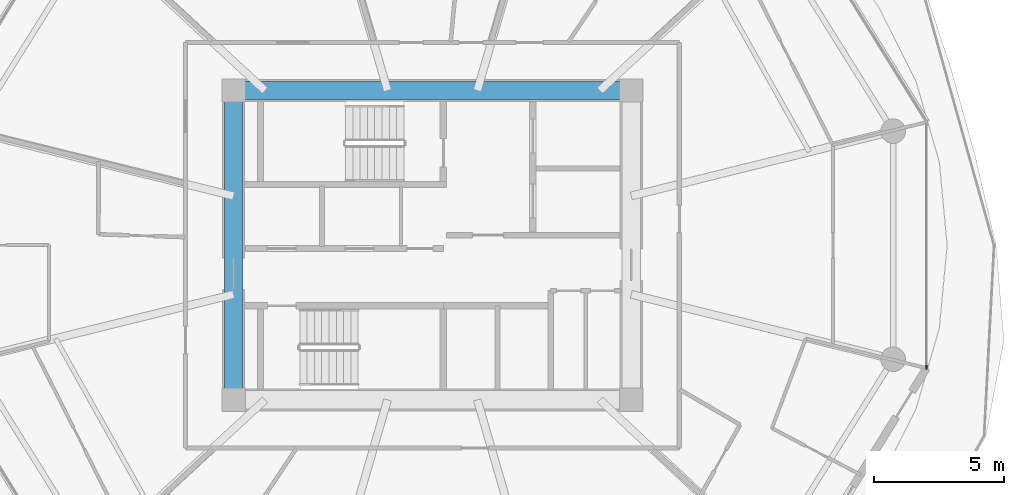
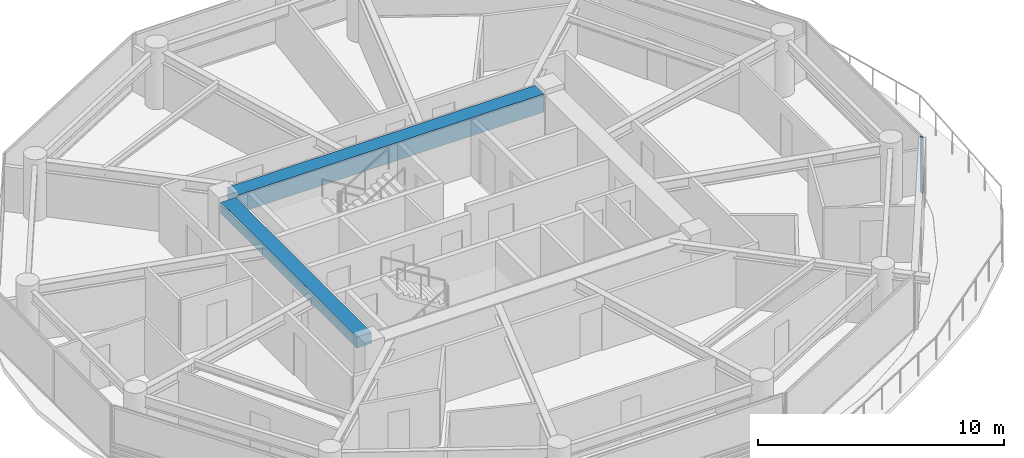
# One storey, part 11 of 27: 2 beams, 1 member, 1 element without a shape of its own.
"""IFC4 building model written with IfcOpenShell, lengths in metres."""

from ifc_helpers import new_model, si_unit, direction, frame, origin, origin_2d, place, context, subcontext, project, spatial, rectangle, extrude, source, transform, mapped, material, layer, layer_set, material_profile, profile_set, type_object, type_shapes, element, aggregate, save


model = new_model("IFC4")

# Units and contexts
model_context = context("Model", 3, precision=1e-05, world=origin(), true_north=direction((0.0, 1.0)))
body_context = subcontext(model_context, "Body", "Model", "MODEL_VIEW")
ifc_project = project(units=[si_unit("LENGTHUNIT", "METRE"), si_unit("AREAUNIT", "SQUARE_METRE"), si_unit("VOLUMEUNIT", "CUBIC_METRE"), si_unit("PLANEANGLEUNIT", "RADIAN"), si_unit("MASSUNIT", "GRAM", prefix="KILO")], contexts=[model_context])

# Site, building, storey
site_placement = place(None, origin())
site = spatial("IfcSite", under=ifc_project, at=site_placement, CompositionType="ELEMENT")
building_placement = place(site_placement, origin())
building = spatial("IfcBuilding", under=site, at=building_placement, Name="Norrkilde Senior Care Towers", CompositionType="ELEMENT")
storey_placement = place(building_placement, frame((0.0, 0.0, 30.75)))
storey = spatial("IfcBuildingStorey", under=building, at=storey_placement, Name="L08", CompositionType="ELEMENT", Elevation=30.75)

# Beams
ifc_material_1 = material(Name="Concrete C60/75", Category="concrete")
ifc_material_profile_1 = material_profile(ifc_material_1, rectangle(XDim=0.699951171875, YDim=0.89990234375, at=origin_2d()), Name="RC BM 700x900")
ifc_profile_set_1 = profile_set([ifc_material_profile_1], Name="Concrete C60/75")
beam_type_1 = type_object("IfcBeamType", Name="Core Coupling Girder 700x900", PredefinedType="USERDEFINED", material=ifc_profile_set_1)
shared_shape_1 = source(origin(), body_context, "Body", "SweptSolid", [
    extrude(rectangle(XDim=0.699951171875, YDim=0.89990234375, at=origin_2d()), origin(), (0.0, 0.0, 1.0), 14.43994140625),
])
type_shapes(beam_type_1, [shared_shape_1])
beam_1_placement = place(storey_placement, frame((20.780029296875, 5.949951171875, 2.340087890625), z_axis=(1.0, 0.0, 0.0), x_axis=(0.0, 1.0, 0.0)))
element("IfcBeam", 1, at=beam_1_placement, inside=storey, type_object=beam_type_1, Name="L08 Core E N Coupling Girder", ObjectType="GIRDER", PredefinedType="USERDEFINED", context=body_context, shape_type="MappedRepresentation", body=[
    mapped(shared_shape_1, transform((0.0, 0.0, 0.0), x_axis=(1.0, 0.0, 0.0), y_axis=(0.0, 1.0, 0.0), z_axis=(0.0, 0.0, 1.0), scale=1.0)),
])
ifc_material_profile_2 = material_profile(ifc_material_1, rectangle(XDim=0.699951171875, YDim=0.550048828125, at=origin_2d()), Name="RC BM 700x550")
ifc_profile_set_2 = profile_set([ifc_material_profile_2], Name="Concrete C60/75")
beam_type_2 = type_object("IfcBeamType", Name="Core Portal Coupling Beam 700x550", PredefinedType="USERDEFINED", material=ifc_profile_set_2)
shared_shape_2 = source(origin(), body_context, "Body", "SweptSolid", [
    extrude(rectangle(XDim=0.699951171875, YDim=0.550048828125, at=origin_2d()), origin(), (0.0, 0.0, 1.0), 11.0400390625),
])
type_shapes(beam_type_2, [shared_shape_2])
beam_2_placement = place(storey_placement, frame((20.35009765625, -5.52001953125, 2.514892578125), z_axis=(0.0, 1.0, 0.0), x_axis=(-1.0, 0.0, 0.0)))
element("IfcBeam", 2, at=beam_2_placement, inside=storey, type_object=beam_type_2, Name="L08 Core E W Coupling Girder", ObjectType="GIRDER", PredefinedType="USERDEFINED", context=body_context, shape_type="MappedRepresentation", body=[
    mapped(shared_shape_2, transform((0.0, 0.0, 0.0), x_axis=(1.0, 0.0, 0.0), y_axis=(0.0, 1.0, 0.0), z_axis=(0.0, 0.0, 1.0), scale=1.0)),
])

# Curtain wall, member
ifc_material_2 = material(Name="Triple Low-E Insulated Glazing", Category="glass")
ifc_layer = layer(ifc_material_2, 0.199951171875)
ifc_layer_set = layer_set([ifc_layer], Name="Triple Low-E Insulated Glazing")
curtain_wall_type = type_object("IfcCurtainWallType", Name="CW2 Zone 1 Memory Care Curtain Wall", PredefinedType="NOTDEFINED", material=ifc_layer_set)
curtain_wall_placement = place(storey_placement, origin())
curtain_wall = element("IfcCurtainWall", 3, at=curtain_wall_placement, inside=storey, type_object=curtain_wall_type, Name="L08 Drum E Curtain Wall 11", PredefinedType="NOTDEFINED")
ifc_material_3 = material(Name="Anodised Aluminium", Category="aluminium")
ifc_material_profile_3 = material_profile(ifc_material_3, rectangle(XDim=0.06494140625, YDim=0.159912109375, at=origin_2d()), Name="ALU MULL 65x160")
ifc_profile_set_3 = profile_set([ifc_material_profile_3], Name="Anodised Aluminium")
member_type = type_object("IfcMemberType", Name="Curtain Wall Mullion Z1-Z2 65x160", PredefinedType="MULLION", material=ifc_profile_set_3)
shared_shape_3 = source(origin(), body_context, "Body", "SweptSolid", [
    extrude(rectangle(XDim=0.06494140625, YDim=0.159912109375, at=origin_2d()), origin(), (0.0, 0.0, 1.0), 2.7900390625),
])
type_shapes(member_type, [shared_shape_3])
member_placement = place(storey_placement, frame((47.009521484375, -4.69873046875, 0.0), z_axis=(0.0, 0.0, 1.0), x_axis=(1.0, 0.0, 0.0)))
member = element("IfcMember", 4, at=member_placement, type_object=member_type, Name="CW-2 mullion 2", PredefinedType="MULLION", context=body_context, shape_type="MappedRepresentation", body=[
    mapped(shared_shape_3, transform((0.0, 0.0, 0.0), x_axis=(1.0, 0.0, 0.0), y_axis=(0.0, 1.0, 0.0), z_axis=(0.0, 0.0, 1.0), scale=1.0)),
])
aggregate(curtain_wall, [member])

save(model, "model.ifc")
